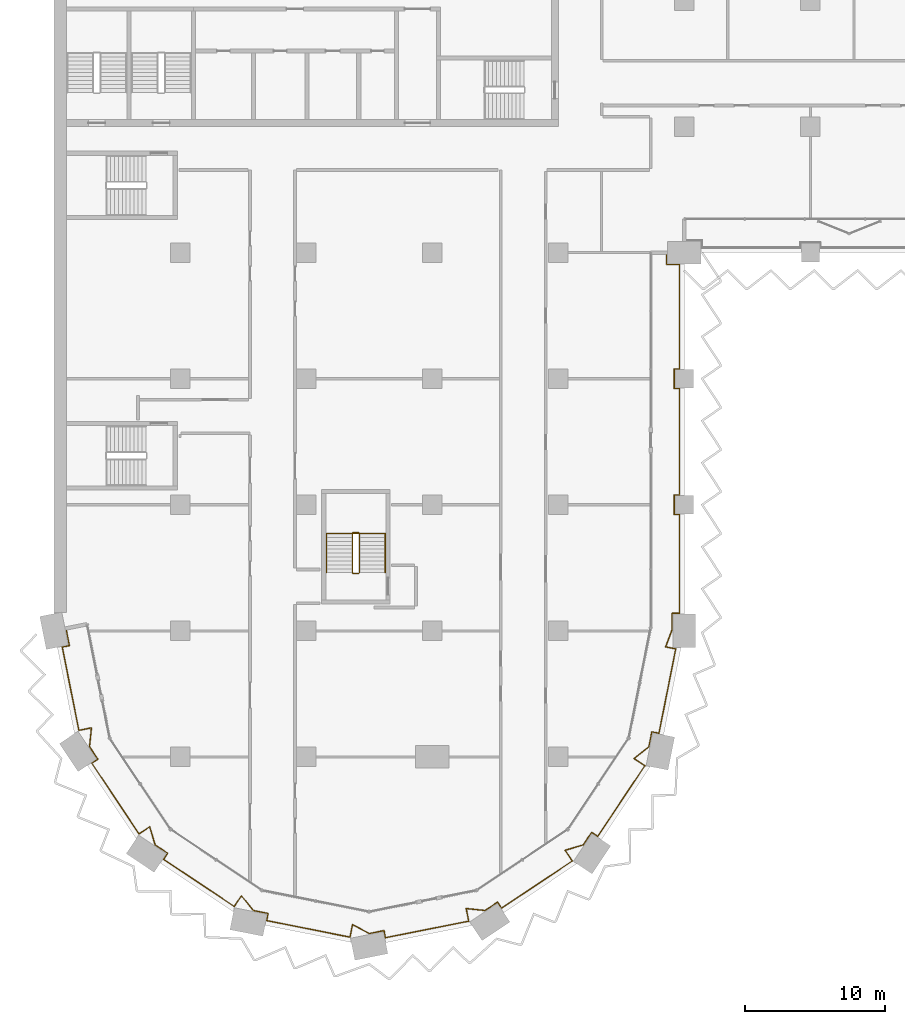
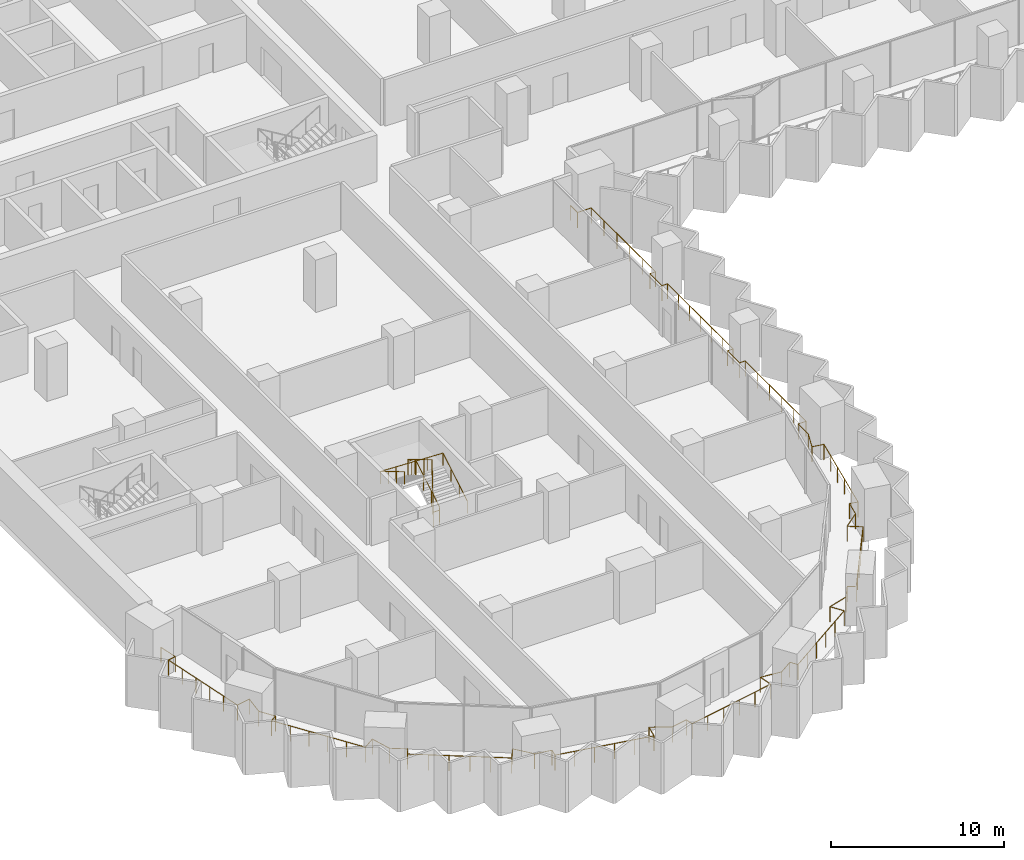
# One storey, part 24 of 28: 3 railings.
"""IFC4 building model written with IfcOpenShell, lengths in metres."""

import ifcopenshell
import ifcopenshell.guid

model = None  # the IFC model being written
_history = None  # IfcOwnerHistory: only IFC2X3 demands one
_inside = {}  # id of a spatial element -> (the spatial element, [elements in it])
_under = {}  # id of a project, library or spatial element -> (it, [spatial elements below it])
_declared = {}  # id of a project -> (the project, [libraries it declares])
_typed = {}  # id of a type object -> (the type object, [elements of that type])
_made_of = {}  # id of a material, layer set ... -> (it, [elements and type objects made of it])


def new_model(schema):
    """Start an empty IFC model of exactly this schema.

    Asked for "IFC4X3", IfcOpenShell would pick the latest addendum, in which some entities
    have other attributes; the version numbers below select the first issue.
    IFC2X3 requires an IfcOwnerHistory on every rooted entity: one is made here for all.
    """
    global model, _history
    if schema == "IFC4X3":
        model = ifcopenshell.file(schema_version=(4, 3, 0, 0))
    else:
        model = ifcopenshell.file(schema=schema)
    _inside.clear()
    _under.clear()
    _declared.clear()
    _typed.clear()
    _made_of.clear()
    _history = None
    if model.schema == "IFC2X3":
        org = make("IfcOrganization", Name="unknown")
        user = make(
            "IfcPersonAndOrganization",
            ThePerson=make("IfcPerson", FamilyName="unknown"),
            TheOrganization=org,
        )
        app = make(
            "IfcApplication",
            ApplicationDeveloper=org,
            Version="unknown",
            ApplicationFullName="unknown",
            ApplicationIdentifier="unknown",
        )
        _history = make(
            "IfcOwnerHistory",
            OwningUser=user,
            OwningApplication=app,
            ChangeAction="ADDED",
            CreationDate=0,
        )
    return model


def make(cls, **values):
    """One entity of the class cls with the attributes given. An attribute that is None is left unset."""
    return model.create_entity(
        cls, **{name: value for name, value in values.items() if value is not None}
    )


def rooted(cls, **values):
    """An entity with a GlobalId (a new one), such as an element, a storey or a relation."""
    return make(cls, GlobalId=ifcopenshell.guid.new(), OwnerHistory=_history, **values)


def si_unit(unit_type, name, prefix=None):
    """IfcSIUnit, for example si_unit("LENGTHUNIT", "METRE", prefix="MILLI")."""
    return make("IfcSIUnit", UnitType=unit_type, Prefix=prefix, Name=name)


def assignment(units):
    """IfcUnitAssignment: the units of a project."""
    return None if units is None else make("IfcUnitAssignment", Units=units)


def point(xyz):
    """IfcCartesianPoint."""
    return None if xyz is None else make("IfcCartesianPoint", Coordinates=xyz)


def direction(xyz):
    """IfcDirection."""
    return None if xyz is None else make("IfcDirection", DirectionRatios=xyz)


def frame(location, z_axis=None, x_axis=None):
    """IfcAxis2Placement3D, a coordinate frame: its origin and axes. An axis left out is left unset."""
    return make(
        "IfcAxis2Placement3D",
        Location=point(location),
        Axis=direction(z_axis),
        RefDirection=direction(x_axis),
    )


def frame_2d(location, x_axis=None):
    """IfcAxis2Placement2D, a coordinate frame in the plane: its origin and x axis."""
    return make(
        "IfcAxis2Placement2D", Location=point(location), RefDirection=direction(x_axis)
    )


def origin():
    """The frame at (0, 0, 0) with its axes left unset."""
    return frame((0.0, 0.0, 0.0))


def origin_2d():
    """The frame at (0, 0) in the plane with its x axis left unset."""
    return frame_2d((0.0, 0.0))


def place(relative_to, where):
    """IfcLocalPlacement: puts the frame where relative to a parent placement (None: the world)."""
    return make(
        "IfcLocalPlacement", PlacementRelTo=relative_to, RelativePlacement=where
    )


def context(
    kind, dimensions, precision=None, world=None, true_north=None, identifier=None
):
    """IfcGeometricRepresentationContext, for example the 3D "Model" context."""
    return make(
        "IfcGeometricRepresentationContext",
        ContextIdentifier=identifier,
        ContextType=kind,
        CoordinateSpaceDimension=dimensions,
        Precision=precision,
        WorldCoordinateSystem=world,
        TrueNorth=true_north,
    )


def subcontext(parent, identifier, kind, view, scale=None):
    """IfcGeometricRepresentationSubContext, for example "Body" below "Model"."""
    return make(
        "IfcGeometricRepresentationSubContext",
        ContextIdentifier=identifier,
        ContextType=kind,
        ParentContext=parent,
        TargetScale=scale,
        TargetView=view,
    )


def project(units=None, contexts=None):
    """IfcProject with its units and contexts."""
    return rooted(
        "IfcProject",
        Name="project",
        RepresentationContexts=contexts,
        UnitsInContext=assignment(units),
    )


def spatial(cls, under=None, at=None, **own):
    """A site, building, storey or space (cls), placed at a placement, below another one or the project."""
    s = rooted(cls, ObjectPlacement=at, **own)
    if under is not None:
        _under.setdefault(under.id(), (under, []))[1].append(s)
    return s


def profile(cls, at=None, kind="AREA", **sizes):
    """A parametric profile (cls). Its sizes go by their IFC names, for example OverallWidth=200.0."""
    return make(cls, ProfileType=kind, Position=at, **sizes)


def circle(**sizes):
    """IfcCircleProfileDef."""
    return profile("IfcCircleProfileDef", **sizes)


def extrude(swept, where, along, depth):
    """IfcExtrudedAreaSolid: the profile swept, set in the frame where, extruded along a direction by depth."""
    return make(
        "IfcExtrudedAreaSolid",
        SweptArea=swept,
        Position=where,
        ExtrudedDirection=direction(along),
        Depth=depth,
    )


def shape(context_of_items, identifier, shape_type, items):
    """IfcShapeRepresentation: the items that make up one representation, for example the "Body"."""
    return make(
        "IfcShapeRepresentation",
        ContextOfItems=context_of_items,
        RepresentationIdentifier=identifier,
        RepresentationType=shape_type,
        Items=items,
    )


def material(Name=None, Category=None):
    """IfcMaterial."""
    return make("IfcMaterial", Name=Name, Category=Category)


def made_of(thing, what):
    """Note that an element or type object is made of a material, layer set ...; save() writes the relation."""
    if what is not None:
        _made_of.setdefault(what.id(), (what, []))[1].append(thing)
    return thing


def type_object(cls, material=None, **own):
    """A type object (cls), such as IfcWallType, which elements share."""
    return made_of(rooted(cls, **own), material)


def element(
    cls,
    number,
    at=None,
    inside=None,
    cuts=None,
    type_object=None,
    material=None,
    context=None,
    identifier="Body",
    shape_type=None,
    held_by="IfcProductDefinitionShape",
    body=None,
    shapes=None,
    **own,
):
    """One element of the class cls, such as IfcWall. Its Tag is "e" and its number.

    at: its placement. inside: the storey or other place that contains it. cuts: it is an
    opening in that element (IfcRelVoidsElement). A single representation is given by context,
    identifier, shape_type and body (its items); several are given by shapes. held_by: the class
    of the entity that holds the representations. save() writes the other relations.
    """
    e = rooted(cls, Tag="e%d" % number, ObjectPlacement=at, **own)
    if body is not None:
        shapes = [shape(context, identifier, shape_type, body)]
    if shapes is not None:
        e.Representation = make(held_by, Representations=shapes)
    if inside is not None:
        _inside.setdefault(inside.id(), (inside, []))[1].append(e)
    if cuts is not None:
        rooted(
            "IfcRelVoidsElement", RelatingBuildingElement=cuts, RelatedOpeningElement=e
        )
    if type_object is not None:
        _typed.setdefault(type_object.id(), (type_object, []))[1].append(e)
    return made_of(e, material)


def aggregate(whole, parts):
    """IfcRelAggregates: a whole, such as a stair, and the parts it consists of."""
    return rooted("IfcRelAggregates", RelatingObject=whole, RelatedObjects=parts)


def save(model, path):
    """Write the relations noted so far, then the file.

    IfcRelAggregates (storeys below a building ...), IfcRelContainedInSpatialStructure (elements
    in a storey), IfcRelDefinesByType, IfcRelAssociatesMaterial and IfcRelDeclares: one each for
    every whole, place, type object, material and project.
    """
    for whole, parts in _under.values():
        aggregate(whole, parts)
    for where, things in _inside.values():
        rooted(
            "IfcRelContainedInSpatialStructure",
            RelatedElements=things,
            RelatingStructure=where,
        )
    for kind, things in _typed.values():
        rooted("IfcRelDefinesByType", RelatedObjects=things, RelatingType=kind)
    for what, things in _made_of.values():
        rooted("IfcRelAssociatesMaterial", RelatedObjects=things, RelatingMaterial=what)
    for by, libraries in _declared.values():
        rooted("IfcRelDeclares", RelatingContext=by, RelatedDefinitions=libraries)
    model.write(path)


model = new_model("IFC4")

# Units and contexts
model_context = context("Model", 3, precision=1e-05, world=origin(), true_north=direction((0.0, 1.0)))
body_context = subcontext(model_context, "Body", "Model", "MODEL_VIEW")
ifc_project = project(units=[si_unit("LENGTHUNIT", "METRE"), si_unit("AREAUNIT", "SQUARE_METRE"), si_unit("VOLUMEUNIT", "CUBIC_METRE"), si_unit("PLANEANGLEUNIT", "RADIAN"), si_unit("MASSUNIT", "GRAM", prefix="KILO")], contexts=[model_context])

# Site, building, storey
site_placement = place(None, origin())
site = spatial("IfcSite", under=ifc_project, at=site_placement, CompositionType="ELEMENT")
building_placement = place(site_placement, origin())
building = spatial("IfcBuilding", under=site, at=building_placement, Name="Hunhe Ridgeline Campus", CompositionType="ELEMENT")
storey_placement = place(building_placement, frame((0.0, 0.0, 35.800048828125)))
storey = spatial("IfcBuildingStorey", under=building, at=storey_placement, Name="L07", CompositionType="ELEMENT", Elevation=35.800048828125)

# Railings
ifc_material_1 = material(Name="Steel Q355", Category="steel")
railing_type_1 = type_object("IfcRailingType", Name="Loggia guard 1100 Steel Q355", PredefinedType="GUARDRAIL", material=ifc_material_1)
railing_1_placement = place(storey_placement, frame((0.853271484375, 27.169677734375, 0.0)))
element("IfcRailing", 1, at=railing_1_placement, inside=storey, type_object=railing_type_1, Name="Loggia guard 1", PredefinedType="GUARDRAIL", context=body_context, shape_type="SweptSolid", body=[
    extrude(circle(Radius=0.02392578125, at=origin_2d()), frame((0.0, 0.0, 1.076171875), z_axis=(0.195139364365, -0.980775523999, 0.0), x_axis=(0.980775523999, 0.195139364365, 0.0)), (0.0, 0.0, 1.0), 1.249755859375),
    extrude(circle(Radius=0.02392578125, at=origin_2d()), frame((0.243896484375, -1.225830078125, 1.076171875), z_axis=(-0.980742851189, -0.195303506986, 0.0), x_axis=(0.195303506986, -0.980742851189, 0.0)), (0.0, 0.0, 1.0), 0.52001953125),
    extrude(circle(Radius=0.02392578125, at=origin_2d()), frame((-0.26611328125, -1.327392578125, 1.076171875), z_axis=(0.195094074844, -0.980784533912, 0.0), x_axis=(0.980784533912, 0.195094074844, 0.0)), (0.0, 0.0, 1.0), 6.064208984375),
    extrude(circle(Radius=0.02392578125, at=origin_2d()), frame((0.9169921875, -7.275146484375, 1.076171875), z_axis=(0.980774480174, 0.195144610585, 0.0), x_axis=(-0.195144610585, 0.980774480174, 0.0)), (0.0, 0.0, 1.0), 0.918212890625),
    extrude(circle(Radius=0.02392578125, at=origin_2d()), frame((1.817626953125, -7.095947265625, 1.076171875), z_axis=(-0.102578746514, -0.994724886973, 0.0), x_axis=(0.994724886973, -0.102578746514, 0.0)), (0.0, 0.0, 1.0), 1.351806640625),
    extrude(circle(Radius=0.02392578125, at=origin_2d()), frame((1.678955078125, -8.440673828125, 1.076171875), z_axis=(0.555693885997, -0.831386976724, 0.0), x_axis=(0.831386976724, 0.555693885997, 0.0)), (0.0, 0.0, 1.0), 1.076904296875),
    extrude(circle(Radius=0.02392578125, at=origin_2d()), frame((2.27734375, -9.3359375, 1.076171875), z_axis=(-0.831327417949, -0.555782982977, 0.0), x_axis=(0.555782982977, -0.831327417949, 0.0)), (0.0, 0.0, 1.0), 0.52001953125),
    extrude(circle(Radius=0.02392578125, at=origin_2d()), frame((1.844970703125, -9.625, 1.076171875), z_axis=(0.55557319973, -0.831467630002, 0.0), x_axis=(0.831467630002, 0.55557319973, 0.0)), (0.0, 0.0, 1.0), 6.064208984375),
    extrude(circle(Radius=0.02392578125, at=origin_2d()), frame((5.214111328125, -14.667236328125, 1.076171875), z_axis=(0.831395250422, 0.555681507318, 0.0), x_axis=(-0.555681507318, 0.831395250422, 0.0)), (0.0, 0.0, 1.0), 0.918212890625),
    extrude(circle(Radius=0.02392578125, at=origin_2d()), frame((5.9775390625, -14.156982421875, 1.076171875), z_axis=(0.285889499126, -0.958262591511, 0.0), x_axis=(0.958262591511, 0.285889499126, 0.0)), (0.0, 0.0, 1.0), 1.351806640625),
    extrude(circle(Radius=0.02392578125, at=origin_2d()), frame((6.364013671875, -15.452392578125, 1.076171875), z_axis=(0.831456967492, -0.555589156849, 0.0), x_axis=(0.555589156849, 0.831456967492, 0.0)), (0.0, 0.0, 1.0), 1.0771484375),
    extrude(circle(Radius=0.02392578125, at=origin_2d()), frame((7.259521484375, -16.05078125, 1.076171875), z_axis=(-0.555675381322, -0.831399344835, 0.0), x_axis=(0.831399344835, -0.555675381322, 0.0)), (0.0, 0.0, 1.0), 0.519775390625),
    extrude(circle(Radius=0.02392578125, at=origin_2d()), frame((6.970703125, -16.48291015625, 1.076171875), z_axis=(0.831467630002, -0.55557319973, 0.0), x_axis=(0.55557319973, 0.831467630002, 0.0)), (0.0, 0.0, 1.0), 6.064208984375),
    extrude(circle(Radius=0.02392578125, at=origin_2d()), frame((12.012939453125, -19.85205078125, 1.076171875), z_axis=(0.555497688072, 0.831518080709, 0.0), x_axis=(-0.831518080709, 0.555497688072, 0.0)), (0.0, 0.0, 1.0), 0.918212890625),
    extrude(circle(Radius=0.02392578125, at=origin_2d()), frame((12.52294921875, -19.088623046875, 1.076171875), z_axis=(0.630864561128, -0.775892972976, 0.0), x_axis=(0.775892972976, 0.630864561128, 0.0)), (0.0, 0.0, 1.0), 1.351806640625),
    extrude(circle(Radius=0.02392578125, at=origin_2d()), frame((13.375732421875, -20.137451171875, 1.076171875), z_axis=(0.980771998786, -0.195157081339, 0.0), x_axis=(0.195157081339, 0.980771998786, 0.0)), (0.0, 0.0, 1.0), 1.0771484375),
    extrude(circle(Radius=0.02392578125, at=origin_2d()), frame((14.43212890625, -20.34765625, 1.076171875), z_axis=(-0.195303506986, -0.980742851189, 0.0), x_axis=(0.980742851189, -0.195303506986, 0.0)), (0.0, 0.0, 1.0), 0.52001953125),
    extrude(circle(Radius=0.02392578125, at=origin_2d()), frame((14.33056640625, -20.857666015625, 1.076171875), z_axis=(0.980792236535, -0.195055347919, 0.0), x_axis=(0.195055347919, 0.980792236535, 0.0)), (0.0, 0.0, 1.0), 6.064208984375),
    extrude(circle(Radius=0.02392578125, at=origin_2d()), frame((20.2783203125, -22.04052734375, 1.076171875), z_axis=(0.195144610585, 0.980774480174, 0.0), x_axis=(-0.980774480174, 0.195144610585, 0.0)), (0.0, 0.0, 1.0), 0.918212890625),
    extrude(circle(Radius=0.02392578125, at=origin_2d()), frame((20.45751953125, -21.139892578125, 1.076171875), z_axis=(0.879704471732, -0.475520811757, 0.0), x_axis=(0.475520811757, 0.879704471732, 0.0)), (0.0, 0.0, 1.0), 1.351806640625),
    extrude(circle(Radius=0.02392578125, at=origin_2d()), frame((21.646728515625, -21.78271484375, 1.076171875), z_axis=(0.980763363144, 0.195200475189, 0.0), x_axis=(-0.195200475189, 0.980763363144, 0.0)), (0.0, 0.0, 1.0), 1.076904296875),
    extrude(circle(Radius=0.02392578125, at=origin_2d()), frame((22.702880859375, -21.572509765625, 1.076171875), z_axis=(0.195303506986, -0.980742851189, 0.0), x_axis=(0.980742851189, 0.195303506986, 0.0)), (0.0, 0.0, 1.0), 0.52001953125),
    extrude(circle(Radius=0.02392578125, at=origin_2d()), frame((22.804443359375, -22.08251953125, 1.076171875), z_axis=(0.980784533912, 0.195094074844, 0.0), x_axis=(-0.195094074844, 0.980784533912, 0.0)), (0.0, 0.0, 1.0), 6.064208984375),
    extrude(circle(Radius=0.02392578125, at=origin_2d()), frame((28.752197265625, -20.8994140625, 1.076171875), z_axis=(-0.195144610585, 0.980774480174, 0.0), x_axis=(-0.980774480174, -0.195144610585, 0.0)), (0.0, 0.0, 1.0), 0.918212890625),
    extrude(circle(Radius=0.02392578125, at=origin_2d()), frame((28.572998046875, -19.998779296875, 1.076171875), z_axis=(0.994724886973, -0.102578746514, 0.0), x_axis=(0.102578746514, 0.994724886973, 0.0)), (0.0, 0.0, 1.0), 1.351806640625),
    extrude(circle(Radius=0.02392578125, at=origin_2d()), frame((29.917724609375, -20.137451171875, 1.076171875), z_axis=(0.831386976724, 0.555693885997, 0.0), x_axis=(-0.555693885997, 0.831386976724, 0.0)), (0.0, 0.0, 1.0), 1.076904296875),
    extrude(circle(Radius=0.02392578125, at=origin_2d()), frame((30.81298828125, -19.5390625, 1.076171875), z_axis=(0.555782982977, -0.831327417949, 0.0), x_axis=(0.831327417949, 0.555782982977, 0.0)), (0.0, 0.0, 1.0), 0.52001953125),
    extrude(circle(Radius=0.02392578125, at=origin_2d()), frame((31.10205078125, -19.971435546875, 1.076171875), z_axis=(0.831467630002, 0.55557319973, 0.0), x_axis=(-0.55557319973, 0.831467630002, 0.0)), (0.0, 0.0, 1.0), 6.064208984375),
    extrude(circle(Radius=0.02392578125, at=origin_2d()), frame((36.144287109375, -16.602294921875, 1.076171875), z_axis=(-0.555681507318, 0.831395250422, 0.0), x_axis=(-0.831395250422, -0.555681507318, 0.0)), (0.0, 0.0, 1.0), 0.918212890625),
    extrude(circle(Radius=0.02392578125, at=origin_2d()), frame((35.634033203125, -15.8388671875, 1.076171875), z_axis=(0.958262591511, 0.285889499126, 0.0), x_axis=(-0.285889499126, 0.958262591511, 0.0)), (0.0, 0.0, 1.0), 1.351806640625),
    extrude(circle(Radius=0.02392578125, at=origin_2d()), frame((36.929443359375, -15.452392578125, 1.076171875), z_axis=(0.555589156849, 0.831456967492, 0.0), x_axis=(-0.831456967492, 0.555589156849, 0.0)), (0.0, 0.0, 1.0), 1.0771484375),
    extrude(circle(Radius=0.02392578125, at=origin_2d()), frame((37.52783203125, -14.556884765625, 1.076171875), z_axis=(0.831399344835, -0.555675381322, 0.0), x_axis=(0.555675381322, 0.831399344835, 0.0)), (0.0, 0.0, 1.0), 0.519775390625),
    extrude(circle(Radius=0.02392578125, at=origin_2d()), frame((37.9599609375, -14.845703125, 1.076171875), z_axis=(0.55557319973, 0.831467630002, 0.0), x_axis=(-0.831467630002, 0.55557319973, 0.0)), (0.0, 0.0, 1.0), 6.064208984375),
    extrude(circle(Radius=0.02392578125, at=origin_2d()), frame((41.3291015625, -9.803466796875, 1.076171875), z_axis=(-0.831518080709, 0.555497688072, 0.0), x_axis=(-0.555497688072, -0.831518080709, 0.0)), (0.0, 0.0, 1.0), 0.918212890625),
    extrude(circle(Radius=0.02392578125, at=origin_2d()), frame((40.565673828125, -9.29345703125, 1.076171875), z_axis=(0.775892972976, 0.630864561128, 0.0), x_axis=(-0.630864561128, 0.775892972976, 0.0)), (0.0, 0.0, 1.0), 1.351806640625),
    extrude(circle(Radius=0.02392578125, at=origin_2d()), frame((41.614501953125, -8.440673828125, 1.076171875), z_axis=(0.195157081339, 0.980771998786, 0.0), x_axis=(-0.980771998786, 0.195157081339, 0.0)), (0.0, 0.0, 1.0), 1.0771484375),
    extrude(circle(Radius=0.02392578125, at=origin_2d()), frame((41.82470703125, -7.38427734375, 1.076171875), z_axis=(0.980742851189, -0.195303506986, 0.0), x_axis=(0.195303506986, 0.980742851189, 0.0)), (0.0, 0.0, 1.0), 0.52001953125),
    extrude(circle(Radius=0.02392578125, at=origin_2d()), frame((42.334716796875, -7.48583984375, 1.076171875), z_axis=(0.19507712928, 0.980787904509, 0.0), x_axis=(-0.980787904509, 0.19507712928, 0.0)), (0.0, 0.0, 1.0), 6.146240234375),
    extrude(circle(Radius=0.02392578125, at=origin_2d()), frame((43.53369140625, -1.457763671875, 1.076171875), z_axis=(-0.980808789294, 0.194972097602, 0.0), x_axis=(-0.194972097602, -0.980808789294, 0.0)), (0.0, 0.0, 1.0), 0.73876953125),
    extrude(circle(Radius=0.02392578125, at=origin_2d()), frame((42.80908203125, -1.313720703125, 1.076171875), z_axis=(0.35537018301, 0.93472564586, 0.0), x_axis=(-0.93472564586, 0.35537018301, 0.0)), (0.0, 0.0, 1.0), 1.315673828125),
    extrude(circle(Radius=0.02392578125, at=origin_2d()), frame((43.276611328125, -0.083984375, 1.076171875), z_axis=(0.0, 1.0, 0.0), x_axis=(-1.0, 0.0, 0.0)), (0.0, 0.0, 1.0), 1.164306640625),
    extrude(circle(Radius=0.02392578125, at=origin_2d()), frame((43.276611328125, 1.080322265625, 1.076171875), z_axis=(1.0, 0.0, 0.0), x_axis=(0.0, 1.0, 0.0)), (0.0, 0.0, 1.0), 0.52001953125),
    extrude(circle(Radius=0.02392578125, at=origin_2d()), frame((43.796630859375, 1.080322265625, 1.076171875), z_axis=(0.0, 1.0, 0.0), x_axis=(-1.0, 0.0, 0.0)), (0.0, 0.0, 1.0), 7.050048828125),
    extrude(circle(Radius=0.02392578125, at=origin_2d()), frame((43.796630859375, 8.13037109375, 1.076171875), z_axis=(-1.0, 0.0, 0.0), x_axis=(0.0, -1.0, 0.0)), (0.0, 0.0, 1.0), 0.369873046875),
    extrude(circle(Radius=0.02392578125, at=origin_2d()), frame((43.4267578125, 8.13037109375, 1.076171875), z_axis=(0.0, 1.0, 0.0), x_axis=(-1.0, 0.0, 0.0)), (0.0, 0.0, 1.0), 1.39990234375),
    extrude(circle(Radius=0.02392578125, at=origin_2d()), frame((43.4267578125, 9.5302734375, 1.076171875), z_axis=(1.0, 0.0, 0.0), x_axis=(0.0, 1.0, 0.0)), (0.0, 0.0, 1.0), 0.369873046875),
    extrude(circle(Radius=0.02392578125, at=origin_2d()), frame((43.796630859375, 9.5302734375, 1.076171875), z_axis=(0.0, 1.0, 0.0), x_axis=(-1.0, 0.0, 0.0)), (0.0, 0.0, 1.0), 7.60009765625),
    extrude(circle(Radius=0.02392578125, at=origin_2d()), frame((43.796630859375, 17.13037109375, 1.076171875), z_axis=(-1.0, 0.0, 0.0), x_axis=(0.0, -1.0, 0.0)), (0.0, 0.0, 1.0), 0.369873046875),
    extrude(circle(Radius=0.02392578125, at=origin_2d()), frame((43.4267578125, 17.13037109375, 1.076171875), z_axis=(0.0, 1.0, 0.0), x_axis=(-1.0, 0.0, 0.0)), (0.0, 0.0, 1.0), 1.39990234375),
    extrude(circle(Radius=0.02392578125, at=origin_2d()), frame((43.4267578125, 18.5302734375, 1.076171875), z_axis=(1.0, 0.0, 0.0), x_axis=(0.0, 1.0, 0.0)), (0.0, 0.0, 1.0), 0.369873046875),
    extrude(circle(Radius=0.02392578125, at=origin_2d()), frame((43.796630859375, 18.5302734375, 1.076171875), z_axis=(0.0, 1.0, 0.0), x_axis=(-1.0, 0.0, 0.0)), (0.0, 0.0, 1.0), 7.449951171875),
    extrude(circle(Radius=0.02392578125, at=origin_2d()), frame((43.796630859375, 25.980224609375, 1.076171875), z_axis=(-1.0, 0.0, 0.0), x_axis=(0.0, -1.0, 0.0)), (0.0, 0.0, 1.0), 0.919921875),
    extrude(circle(Radius=0.02392578125, at=origin_2d()), frame((42.876708984375, 25.980224609375, 1.076171875), z_axis=(0.0, 1.0, 0.0), x_axis=(-1.0, 0.0, 0.0)), (0.0, 0.0, 1.0), 0.85009765625),
    extrude(circle(Radius=0.02099609375, at=origin_2d()), origin(), (0.0, 0.0, 1.0), 1.052001953125),
    extrude(circle(Radius=0.02099609375, at=origin_2d()), frame((0.243896484375, -1.225830078125, 0.0)), (0.0, 0.0, 1.0), 1.052001953125),
    extrude(circle(Radius=0.02099609375, at=origin_2d()), frame((-0.26611328125, -1.327392578125, 0.0)), (0.0, 0.0, 1.0), 1.052001953125),
    extrude(circle(Radius=0.02099609375, at=origin_2d()), frame((-0.029541015625, -2.516845703125, 0.0)), (0.0, 0.0, 1.0), 1.052001953125),
    extrude(circle(Radius=0.02099609375, at=origin_2d()), frame((0.20703125, -3.70654296875, 0.0)), (0.0, 0.0, 1.0), 1.052001953125),
    extrude(circle(Radius=0.02099609375, at=origin_2d()), frame((0.44384765625, -4.89599609375, 0.0)), (0.0, 0.0, 1.0), 1.052001953125),
    extrude(circle(Radius=0.02099609375, at=origin_2d()), frame((0.680419921875, -6.085693359375, 0.0)), (0.0, 0.0, 1.0), 1.052001953125),
    extrude(circle(Radius=0.02099609375, at=origin_2d()), frame((0.9169921875, -7.275146484375, 0.0)), (0.0, 0.0, 1.0), 1.052001953125),
    extrude(circle(Radius=0.02099609375, at=origin_2d()), frame((1.817626953125, -7.095947265625, 0.0)), (0.0, 0.0, 1.0), 1.052001953125),
    extrude(circle(Radius=0.02099609375, at=origin_2d()), frame((1.678955078125, -8.440673828125, 0.0)), (0.0, 0.0, 1.0), 1.052001953125),
    extrude(circle(Radius=0.02099609375, at=origin_2d()), frame((2.27734375, -9.3359375, 0.0)), (0.0, 0.0, 1.0), 1.052001953125),
    extrude(circle(Radius=0.02099609375, at=origin_2d()), frame((1.844970703125, -9.625, 0.0)), (0.0, 0.0, 1.0), 1.052001953125),
    extrude(circle(Radius=0.02099609375, at=origin_2d()), frame((2.518798828125, -10.633544921875, 0.0)), (0.0, 0.0, 1.0), 1.052001953125),
    extrude(circle(Radius=0.02099609375, at=origin_2d()), frame((3.192626953125, -11.641845703125, 0.0)), (0.0, 0.0, 1.0), 1.052001953125),
    extrude(circle(Radius=0.02099609375, at=origin_2d()), frame((3.866455078125, -12.650390625, 0.0)), (0.0, 0.0, 1.0), 1.052001953125),
    extrude(circle(Radius=0.02099609375, at=origin_2d()), frame((4.540283203125, -13.65869140625, 0.0)), (0.0, 0.0, 1.0), 1.052001953125),
    extrude(circle(Radius=0.02099609375, at=origin_2d()), frame((5.214111328125, -14.667236328125, 0.0)), (0.0, 0.0, 1.0), 1.052001953125),
    extrude(circle(Radius=0.02099609375, at=origin_2d()), frame((5.9775390625, -14.156982421875, 0.0)), (0.0, 0.0, 1.0), 1.052001953125),
    extrude(circle(Radius=0.02099609375, at=origin_2d()), frame((6.364013671875, -15.452392578125, 0.0)), (0.0, 0.0, 1.0), 1.052001953125),
    extrude(circle(Radius=0.02099609375, at=origin_2d()), frame((7.259521484375, -16.05078125, 0.0)), (0.0, 0.0, 1.0), 1.052001953125),
    extrude(circle(Radius=0.02099609375, at=origin_2d()), frame((6.970703125, -16.48291015625, 0.0)), (0.0, 0.0, 1.0), 1.052001953125),
    extrude(circle(Radius=0.02099609375, at=origin_2d()), frame((7.979248046875, -17.15673828125, 0.0)), (0.0, 0.0, 1.0), 1.052001953125),
    extrude(circle(Radius=0.02099609375, at=origin_2d()), frame((8.987548828125, -17.83056640625, 0.0)), (0.0, 0.0, 1.0), 1.052001953125),
    extrude(circle(Radius=0.02099609375, at=origin_2d()), frame((9.99609375, -18.50439453125, 0.0)), (0.0, 0.0, 1.0), 1.052001953125),
    extrude(circle(Radius=0.02099609375, at=origin_2d()), frame((11.00439453125, -19.17822265625, 0.0)), (0.0, 0.0, 1.0), 1.052001953125),
    extrude(circle(Radius=0.02099609375, at=origin_2d()), frame((12.012939453125, -19.85205078125, 0.0)), (0.0, 0.0, 1.0), 1.052001953125),
    extrude(circle(Radius=0.02099609375, at=origin_2d()), frame((12.52294921875, -19.088623046875, 0.0)), (0.0, 0.0, 1.0), 1.052001953125),
    extrude(circle(Radius=0.02099609375, at=origin_2d()), frame((13.375732421875, -20.137451171875, 0.0)), (0.0, 0.0, 1.0), 1.052001953125),
    extrude(circle(Radius=0.02099609375, at=origin_2d()), frame((14.43212890625, -20.34765625, 0.0)), (0.0, 0.0, 1.0), 1.052001953125),
    extrude(circle(Radius=0.02099609375, at=origin_2d()), frame((14.33056640625, -20.857666015625, 0.0)), (0.0, 0.0, 1.0), 1.052001953125),
    extrude(circle(Radius=0.02099609375, at=origin_2d()), frame((15.52001953125, -21.09423828125, 0.0)), (0.0, 0.0, 1.0), 1.052001953125),
    extrude(circle(Radius=0.02099609375, at=origin_2d()), frame((16.709716796875, -21.330810546875, 0.0)), (0.0, 0.0, 1.0), 1.052001953125),
    extrude(circle(Radius=0.02099609375, at=origin_2d()), frame((17.899169921875, -21.5673828125, 0.0)), (0.0, 0.0, 1.0), 1.052001953125),
    extrude(circle(Radius=0.02099609375, at=origin_2d()), frame((19.0888671875, -21.803955078125, 0.0)), (0.0, 0.0, 1.0), 1.052001953125),
    extrude(circle(Radius=0.02099609375, at=origin_2d()), frame((20.2783203125, -22.04052734375, 0.0)), (0.0, 0.0, 1.0), 1.052001953125),
    extrude(circle(Radius=0.02099609375, at=origin_2d()), frame((20.45751953125, -21.139892578125, 0.0)), (0.0, 0.0, 1.0), 1.052001953125),
    extrude(circle(Radius=0.02099609375, at=origin_2d()), frame((21.646728515625, -21.78271484375, 0.0)), (0.0, 0.0, 1.0), 1.052001953125),
    extrude(circle(Radius=0.02099609375, at=origin_2d()), frame((22.702880859375, -21.572509765625, 0.0)), (0.0, 0.0, 1.0), 1.052001953125),
    extrude(circle(Radius=0.02099609375, at=origin_2d()), frame((22.804443359375, -22.08251953125, 0.0)), (0.0, 0.0, 1.0), 1.052001953125),
    extrude(circle(Radius=0.02099609375, at=origin_2d()), frame((23.993896484375, -21.845947265625, 0.0)), (0.0, 0.0, 1.0), 1.052001953125),
    extrude(circle(Radius=0.02099609375, at=origin_2d()), frame((25.18359375, -21.609375, 0.0)), (0.0, 0.0, 1.0), 1.052001953125),
    extrude(circle(Radius=0.02099609375, at=origin_2d()), frame((26.373046875, -21.37255859375, 0.0)), (0.0, 0.0, 1.0), 1.052001953125),
    extrude(circle(Radius=0.02099609375, at=origin_2d()), frame((27.562744140625, -21.135986328125, 0.0)), (0.0, 0.0, 1.0), 1.052001953125),
    extrude(circle(Radius=0.02099609375, at=origin_2d()), frame((28.752197265625, -20.8994140625, 0.0)), (0.0, 0.0, 1.0), 1.052001953125),
    extrude(circle(Radius=0.02099609375, at=origin_2d()), frame((28.572998046875, -19.998779296875, 0.0)), (0.0, 0.0, 1.0), 1.052001953125),
    extrude(circle(Radius=0.02099609375, at=origin_2d()), frame((29.917724609375, -20.137451171875, 0.0)), (0.0, 0.0, 1.0), 1.052001953125),
    extrude(circle(Radius=0.02099609375, at=origin_2d()), frame((30.81298828125, -19.5390625, 0.0)), (0.0, 0.0, 1.0), 1.052001953125),
    extrude(circle(Radius=0.02099609375, at=origin_2d()), frame((31.10205078125, -19.971435546875, 0.0)), (0.0, 0.0, 1.0), 1.052001953125),
    extrude(circle(Radius=0.02099609375, at=origin_2d()), frame((32.110595703125, -19.297607421875, 0.0)), (0.0, 0.0, 1.0), 1.052001953125),
    extrude(circle(Radius=0.02099609375, at=origin_2d()), frame((33.118896484375, -18.623779296875, 0.0)), (0.0, 0.0, 1.0), 1.052001953125),
    extrude(circle(Radius=0.02099609375, at=origin_2d()), frame((34.12744140625, -17.949951171875, 0.0)), (0.0, 0.0, 1.0), 1.052001953125),
    extrude(circle(Radius=0.02099609375, at=origin_2d()), frame((35.1357421875, -17.276123046875, 0.0)), (0.0, 0.0, 1.0), 1.052001953125),
    extrude(circle(Radius=0.02099609375, at=origin_2d()), frame((36.144287109375, -16.602294921875, 0.0)), (0.0, 0.0, 1.0), 1.052001953125),
    extrude(circle(Radius=0.02099609375, at=origin_2d()), frame((35.634033203125, -15.8388671875, 0.0)), (0.0, 0.0, 1.0), 1.052001953125),
    extrude(circle(Radius=0.02099609375, at=origin_2d()), frame((36.929443359375, -15.452392578125, 0.0)), (0.0, 0.0, 1.0), 1.052001953125),
    extrude(circle(Radius=0.02099609375, at=origin_2d()), frame((37.52783203125, -14.556884765625, 0.0)), (0.0, 0.0, 1.0), 1.052001953125),
    extrude(circle(Radius=0.02099609375, at=origin_2d()), frame((37.9599609375, -14.845703125, 0.0)), (0.0, 0.0, 1.0), 1.052001953125),
    extrude(circle(Radius=0.02099609375, at=origin_2d()), frame((38.6337890625, -13.837158203125, 0.0)), (0.0, 0.0, 1.0), 1.052001953125),
    extrude(circle(Radius=0.02099609375, at=origin_2d()), frame((39.3076171875, -12.828857421875, 0.0)), (0.0, 0.0, 1.0), 1.052001953125),
    extrude(circle(Radius=0.02099609375, at=origin_2d()), frame((39.9814453125, -11.8203125, 0.0)), (0.0, 0.0, 1.0), 1.052001953125),
    extrude(circle(Radius=0.02099609375, at=origin_2d()), frame((40.6552734375, -10.81201171875, 0.0)), (0.0, 0.0, 1.0), 1.052001953125),
    extrude(circle(Radius=0.02099609375, at=origin_2d()), frame((41.3291015625, -9.803466796875, 0.0)), (0.0, 0.0, 1.0), 1.052001953125),
    extrude(circle(Radius=0.02099609375, at=origin_2d()), frame((40.565673828125, -9.29345703125, 0.0)), (0.0, 0.0, 1.0), 1.052001953125),
    extrude(circle(Radius=0.02099609375, at=origin_2d()), frame((41.614501953125, -8.440673828125, 0.0)), (0.0, 0.0, 1.0), 1.052001953125),
    extrude(circle(Radius=0.02099609375, at=origin_2d()), frame((41.82470703125, -7.38427734375, 0.0)), (0.0, 0.0, 1.0), 1.052001953125),
    extrude(circle(Radius=0.02099609375, at=origin_2d()), frame((42.334716796875, -7.48583984375, 0.0)), (0.0, 0.0, 1.0), 1.052001953125),
    extrude(circle(Radius=0.02099609375, at=origin_2d()), frame((42.574462890625, -6.2802734375, 0.0)), (0.0, 0.0, 1.0), 1.052001953125),
    extrude(circle(Radius=0.02099609375, at=origin_2d()), frame((42.814208984375, -5.07470703125, 0.0)), (0.0, 0.0, 1.0), 1.052001953125),
    extrude(circle(Radius=0.02099609375, at=origin_2d()), frame((43.05419921875, -3.868896484375, 0.0)), (0.0, 0.0, 1.0), 1.052001953125),
    extrude(circle(Radius=0.02099609375, at=origin_2d()), frame((43.2939453125, -2.663330078125, 0.0)), (0.0, 0.0, 1.0), 1.052001953125),
    extrude(circle(Radius=0.02099609375, at=origin_2d()), frame((43.53369140625, -1.457763671875, 0.0)), (0.0, 0.0, 1.0), 1.052001953125),
    extrude(circle(Radius=0.02099609375, at=origin_2d()), frame((42.80908203125, -1.313720703125, 0.0)), (0.0, 0.0, 1.0), 1.052001953125),
    extrude(circle(Radius=0.02099609375, at=origin_2d()), frame((43.276611328125, -0.083984375, 0.0)), (0.0, 0.0, 1.0), 1.052001953125),
    extrude(circle(Radius=0.02099609375, at=origin_2d()), frame((43.276611328125, 1.080322265625, 0.0)), (0.0, 0.0, 1.0), 1.052001953125),
    extrude(circle(Radius=0.02099609375, at=origin_2d()), frame((43.796630859375, 1.080322265625, 0.0)), (0.0, 0.0, 1.0), 1.052001953125),
    extrude(circle(Radius=0.02099609375, at=origin_2d()), frame((43.796630859375, 2.490234375, 0.0)), (0.0, 0.0, 1.0), 1.052001953125),
    extrude(circle(Radius=0.02099609375, at=origin_2d()), frame((43.796630859375, 3.900390625, 0.0)), (0.0, 0.0, 1.0), 1.052001953125),
    extrude(circle(Radius=0.02099609375, at=origin_2d()), frame((43.796630859375, 5.310302734375, 0.0)), (0.0, 0.0, 1.0), 1.052001953125),
    extrude(circle(Radius=0.02099609375, at=origin_2d()), frame((43.796630859375, 6.720458984375, 0.0)), (0.0, 0.0, 1.0), 1.052001953125),
    extrude(circle(Radius=0.02099609375, at=origin_2d()), frame((43.796630859375, 8.13037109375, 0.0)), (0.0, 0.0, 1.0), 1.052001953125),
    extrude(circle(Radius=0.02099609375, at=origin_2d()), frame((43.4267578125, 8.13037109375, 0.0)), (0.0, 0.0, 1.0), 1.052001953125),
    extrude(circle(Radius=0.02099609375, at=origin_2d()), frame((43.4267578125, 9.5302734375, 0.0)), (0.0, 0.0, 1.0), 1.052001953125),
    extrude(circle(Radius=0.02099609375, at=origin_2d()), frame((43.796630859375, 9.5302734375, 0.0)), (0.0, 0.0, 1.0), 1.052001953125),
    extrude(circle(Radius=0.02099609375, at=origin_2d()), frame((43.796630859375, 10.796875, 0.0)), (0.0, 0.0, 1.0), 1.052001953125),
    extrude(circle(Radius=0.02099609375, at=origin_2d()), frame((43.796630859375, 12.063720703125, 0.0)), (0.0, 0.0, 1.0), 1.052001953125),
    extrude(circle(Radius=0.02099609375, at=origin_2d()), frame((43.796630859375, 13.330322265625, 0.0)), (0.0, 0.0, 1.0), 1.052001953125),
    extrude(circle(Radius=0.02099609375, at=origin_2d()), frame((43.796630859375, 14.596923828125, 0.0)), (0.0, 0.0, 1.0), 1.052001953125),
    extrude(circle(Radius=0.02099609375, at=origin_2d()), frame((43.796630859375, 15.86376953125, 0.0)), (0.0, 0.0, 1.0), 1.052001953125),
    extrude(circle(Radius=0.02099609375, at=origin_2d()), frame((43.796630859375, 17.13037109375, 0.0)), (0.0, 0.0, 1.0), 1.052001953125),
    extrude(circle(Radius=0.02099609375, at=origin_2d()), frame((43.4267578125, 17.13037109375, 0.0)), (0.0, 0.0, 1.0), 1.052001953125),
    extrude(circle(Radius=0.02099609375, at=origin_2d()), frame((43.4267578125, 18.5302734375, 0.0)), (0.0, 0.0, 1.0), 1.052001953125),
    extrude(circle(Radius=0.02099609375, at=origin_2d()), frame((43.796630859375, 18.5302734375, 0.0)), (0.0, 0.0, 1.0), 1.052001953125),
    extrude(circle(Radius=0.02099609375, at=origin_2d()), frame((43.796630859375, 20.020263671875, 0.0)), (0.0, 0.0, 1.0), 1.052001953125),
    extrude(circle(Radius=0.02099609375, at=origin_2d()), frame((43.796630859375, 21.51025390625, 0.0)), (0.0, 0.0, 1.0), 1.052001953125),
    extrude(circle(Radius=0.02099609375, at=origin_2d()), frame((43.796630859375, 23.000244140625, 0.0)), (0.0, 0.0, 1.0), 1.052001953125),
    extrude(circle(Radius=0.02099609375, at=origin_2d()), frame((43.796630859375, 24.490234375, 0.0)), (0.0, 0.0, 1.0), 1.052001953125),
    extrude(circle(Radius=0.02099609375, at=origin_2d()), frame((43.796630859375, 25.980224609375, 0.0)), (0.0, 0.0, 1.0), 1.052001953125),
    extrude(circle(Radius=0.02099609375, at=origin_2d()), frame((42.876708984375, 25.980224609375, 0.0)), (0.0, 0.0, 1.0), 1.052001953125),
    extrude(circle(Radius=0.02099609375, at=origin_2d()), frame((42.876708984375, 26.830322265625, 0.0)), (0.0, 0.0, 1.0), 1.052001953125),
])
ifc_material_2 = material(Name="Stainless steel balustrade", Category="steel")
railing_type_2 = type_object("IfcRailingType", Name="Stair guard 1100 stainless", PredefinedType="GUARDRAIL", material=ifc_material_2)
railing_2_placement = place(storey_placement, frame((21.800048828125, 31.14990234375, 0.168212890625)))
element("IfcRailing", 2, at=railing_2_placement, inside=storey, type_object=railing_type_2, Name="L07 stair W3 guard", PredefinedType="GUARDRAIL", context=body_context, shape_type="SweptSolid", body=[
    extrude(circle(Radius=0.02392578125, at=origin_2d()), frame((0.0, 0.0, 1.076171875), z_axis=(0.0, 0.857275202839, 0.514858452973), x_axis=(-1.0, 0.0, 0.0)), (0.0, 0.0, 1.0), 3.26611328125),
    extrude(circle(Radius=0.02392578125, at=origin_2d()), frame((0.0, 2.800048828125, 2.7578125), z_axis=(-0.707106781187, 0.707106781187, 0.0), x_axis=(-0.707106781187, -0.707106781187, 0.0)), (0.0, 0.0, 1.0), 0.07080078125),
    extrude(circle(Radius=0.02392578125, at=origin_2d()), frame((-0.050048828125, 2.85009765625, 2.7578125), z_axis=(-1.0, 0.0, 0.0), x_axis=(0.0, -1.0, 0.0)), (0.0, 0.0, 1.0), 0.39990234375),
    extrude(circle(Radius=0.02392578125, at=origin_2d()), frame((-0.449951171875, 2.85009765625, 2.7578125), z_axis=(-0.274243871929, -0.274243871929, 0.92172696468), x_axis=(0.707106781187, -0.707106781187, 0.0)), (0.0, 0.0, 1.0), 0.1826171875),
    extrude(circle(Radius=0.02392578125, at=origin_2d()), frame((-0.5, 2.800048828125, 2.92578125), z_axis=(0.0, -0.857242210791, 0.514913383045), x_axis=(1.0, 0.0, 0.0)), (0.0, 0.0, 1.0), 3.266357421875),
    extrude(circle(Radius=0.02392578125, at=origin_2d()), frame((-0.5, 0.0, 4.60791015625), z_axis=(0.013524426427, -0.013458453615, -0.999817963389), x_axis=(0.705375805398, 0.708833529934, 0.0)), (0.0, 0.0, 1.0), 3.70068359375),
    extrude(circle(Radius=0.02392578125, at=origin_2d()), frame((-0.449951171875, -0.0498046875, 0.90771484375), z_axis=(1.0, 0.0, 0.0), x_axis=(0.0, 1.0, 0.0)), (0.0, 0.0, 1.0), 0.39990234375),
    extrude(circle(Radius=0.02099609375, at=origin_2d()), origin(), (0.0, 0.0, 1.0), 1.052001953125),
    extrude(circle(Radius=0.02099609375, at=origin_2d()), frame((0.0, 0.933349609375, 0.560546875)), (0.0, 0.0, 1.0), 1.052001953125),
    extrude(circle(Radius=0.02099609375, at=origin_2d()), frame((0.0, 1.86669921875, 1.12109375)), (0.0, 0.0, 1.0), 1.052001953125),
    extrude(circle(Radius=0.02099609375, at=origin_2d()), frame((0.0, 2.800048828125, 1.681640625)), (0.0, 0.0, 1.0), 1.052001953125),
    extrude(circle(Radius=0.02099609375, at=origin_2d()), frame((-0.050048828125, 2.85009765625, 1.681640625)), (0.0, 0.0, 1.0), 1.052001953125),
    extrude(circle(Radius=0.02099609375, at=origin_2d()), frame((-0.449951171875, 2.85009765625, 1.681640625)), (0.0, 0.0, 1.0), 1.052001953125),
    extrude(circle(Radius=0.02099609375, at=origin_2d()), frame((-0.5, 2.800048828125, 1.849853515625)), (0.0, 0.0, 1.0), 1.052001953125),
    extrude(circle(Radius=0.02099609375, at=origin_2d()), frame((-0.5, 1.86669921875, 2.410400390625)), (0.0, 0.0, 1.0), 1.052001953125),
    extrude(circle(Radius=0.02099609375, at=origin_2d()), frame((-0.5, 0.933349609375, 2.97119140625)), (0.0, 0.0, 1.0), 1.052001953125),
    extrude(circle(Radius=0.02099609375, at=origin_2d()), frame((-0.5, 0.0, 3.53173828125)), (0.0, 0.0, 1.0), 1.052001953125),
    extrude(circle(Radius=0.02099609375, at=origin_2d()), frame((-0.487548828125, -0.012451171875, 2.606689453125)), (0.0, 0.0, 1.0), 1.052001953125),
    extrude(circle(Radius=0.02099609375, at=origin_2d()), frame((-0.47509765625, -0.02490234375, 1.681640625)), (0.0, 0.0, 1.0), 1.052001953125),
    extrude(circle(Radius=0.02099609375, at=origin_2d()), frame((-0.46240234375, -0.037353515625, 0.7568359375)), (0.0, 0.0, 1.0), 1.052001953125),
    extrude(circle(Radius=0.02099609375, at=origin_2d()), frame((-0.449951171875, -0.0498046875, -0.168212890625)), (0.0, 0.0, 1.0), 1.052001953125),
    extrude(circle(Radius=0.02099609375, at=origin_2d()), frame((-0.050048828125, -0.0498046875, -0.168212890625)), (0.0, 0.0, 1.0), 1.052001953125),
])
ifc_material_3 = material(Name="Stainless steel handrail", Category="steel")
railing_type_3 = type_object("IfcRailingType", Name="Stair handrail 900 stainless", PredefinedType="HANDRAIL", material=ifc_material_3)
railing_3_placement = place(storey_placement, frame((23.64990234375, 31.14990234375, 0.168212890625)))
element("IfcRailing", 3, at=railing_3_placement, inside=storey, type_object=railing_type_3, Name="L07 stair W3 handrail", PredefinedType="HANDRAIL", context=body_context, shape_type="SweptSolid", body=[
    extrude(circle(Radius=0.02392578125, at=origin_2d()), frame((0.0, 0.0, 0.8759765625), z_axis=(0.0, 0.857275202839, 0.514858452973), x_axis=(-1.0, 0.0, 0.0)), (0.0, 0.0, 1.0), 3.26611328125),
    extrude(circle(Radius=0.02392578125, at=origin_2d()), frame((0.0, 2.800048828125, 2.5576171875), z_axis=(-0.999198916169, 0.0, 0.040019069537), x_axis=(0.0, -1.0, 0.0)), (0.0, 0.0, 1.0), 4.203369140625),
    extrude(circle(Radius=0.02392578125, at=origin_2d()), frame((-4.199951171875, 2.800048828125, 2.7255859375), z_axis=(0.0, -0.857242210791, 0.514913383045), x_axis=(1.0, 0.0, 0.0)), (0.0, 0.0, 1.0), 3.266357421875),
    extrude(circle(Radius=0.02099609375, at=origin_2d()), origin(), (0.0, 0.0, 1.0), 0.851806640625),
    extrude(circle(Radius=0.02099609375, at=origin_2d()), frame((0.0, 0.933349609375, 0.560546875)), (0.0, 0.0, 1.0), 0.851806640625),
    extrude(circle(Radius=0.02099609375, at=origin_2d()), frame((0.0, 1.86669921875, 1.12109375)), (0.0, 0.0, 1.0), 0.851806640625),
    extrude(circle(Radius=0.02099609375, at=origin_2d()), frame((0.0, 2.800048828125, 1.681640625)), (0.0, 0.0, 1.0), 0.851806640625),
    extrude(circle(Radius=0.02099609375, at=origin_2d()), frame((-1.050048828125, 2.800048828125, 1.7236328125)), (0.0, 0.0, 1.0), 0.851806640625),
    extrude(circle(Radius=0.02099609375, at=origin_2d()), frame((-2.10009765625, 2.800048828125, 1.765625)), (0.0, 0.0, 1.0), 0.851806640625),
    extrude(circle(Radius=0.02099609375, at=origin_2d()), frame((-3.14990234375, 2.800048828125, 1.807861328125)), (0.0, 0.0, 1.0), 0.851806640625),
    extrude(circle(Radius=0.02099609375, at=origin_2d()), frame((-4.199951171875, 2.800048828125, 1.849853515625)), (0.0, 0.0, 1.0), 0.851806640625),
    extrude(circle(Radius=0.02099609375, at=origin_2d()), frame((-4.199951171875, 1.86669921875, 2.410400390625)), (0.0, 0.0, 1.0), 0.851806640625),
    extrude(circle(Radius=0.02099609375, at=origin_2d()), frame((-4.199951171875, 0.933349609375, 2.97119140625)), (0.0, 0.0, 1.0), 0.851806640625),
    extrude(circle(Radius=0.02099609375, at=origin_2d()), frame((-4.199951171875, 0.0, 3.53173828125)), (0.0, 0.0, 1.0), 0.851806640625),
])

save(model, "model.ifc")
